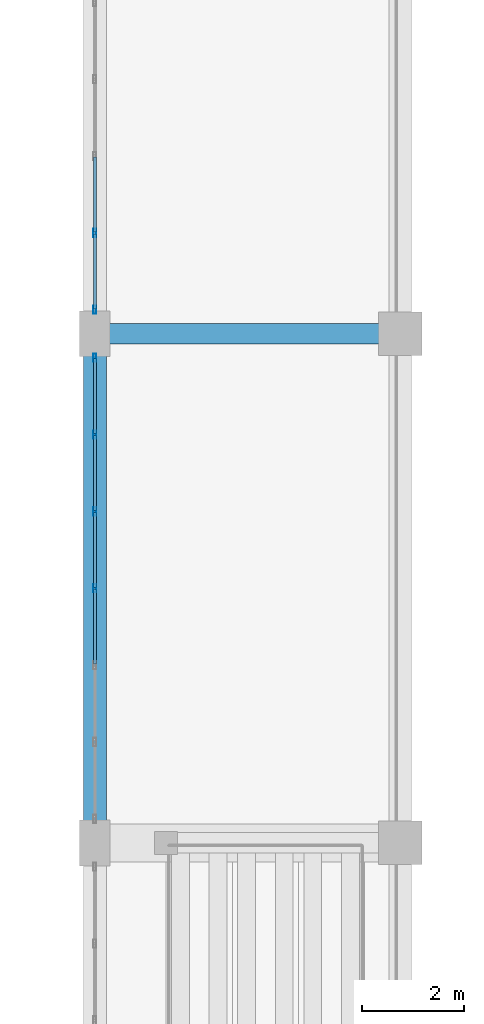
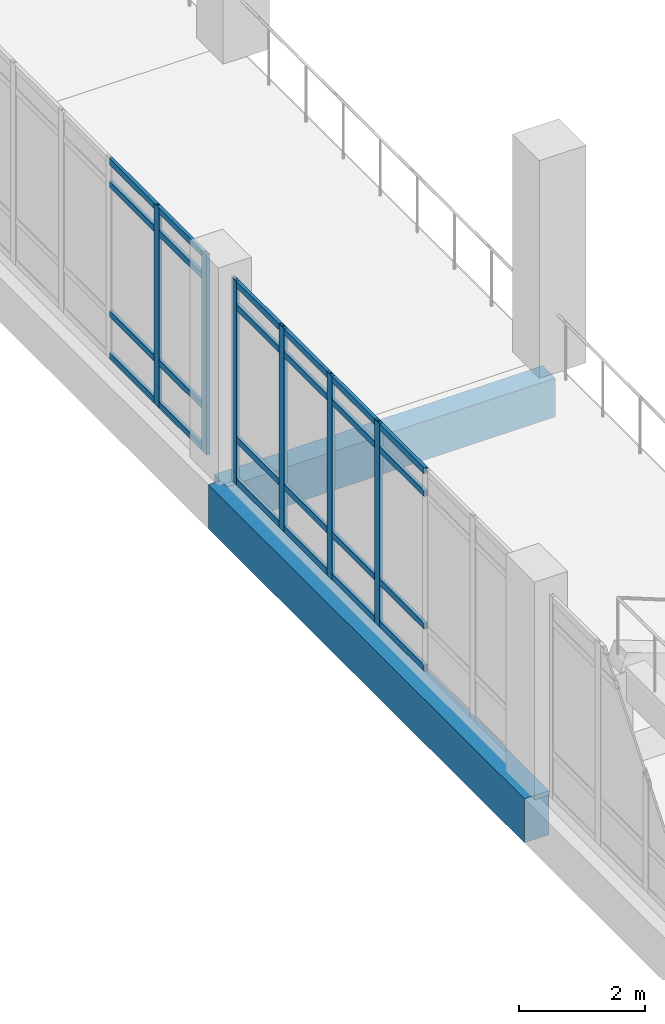
# One storey, part 65 of 161: 30 members, 2 beams, 2 elements without a shape of their own.
"""IFC4 building model written with IfcOpenShell, lengths in metres."""

from ifc_helpers import new_model, si_unit, direction, frame, origin, origin_2d, place, context, subcontext, project, spatial, rectangle, hollow_rectangle, extrude, material, layer, layer_set, material_profile, profile_set, type_object, element, aggregate, save


model = new_model("IFC4")

# Units and contexts
model_context = context("Model", 3, precision=1e-05, world=origin(), true_north=direction((0.0, 1.0)))
body_context = subcontext(model_context, "Body", "Model", "MODEL_VIEW")
ifc_project = project(units=[si_unit("LENGTHUNIT", "METRE"), si_unit("AREAUNIT", "SQUARE_METRE"), si_unit("VOLUMEUNIT", "CUBIC_METRE"), si_unit("PLANEANGLEUNIT", "RADIAN"), si_unit("MASSUNIT", "GRAM", prefix="KILO")], contexts=[model_context])

# Site, building, storey
site_placement = place(None, origin())
site = spatial("IfcSite", under=ifc_project, at=site_placement, CompositionType="ELEMENT")
building_placement = place(site_placement, origin())
building = spatial("IfcBuilding", under=site, at=building_placement, Name="Mersad Railyard Sports Hall", CompositionType="ELEMENT")
storey_placement = place(building_placement, frame((0.0, 0.0, 4.800048828125)))
storey = spatial("IfcBuildingStorey", under=building, at=storey_placement, Name="L01", CompositionType="ELEMENT", Elevation=4.800048828125)

# Curtain wall, members
ifc_material_1 = material(Name="Aluminium 6063-T6", Category="aluminium")
ifc_layer_1 = layer(ifc_material_1, 0.159912109375)
ifc_layer_set_1 = layer_set([ifc_layer_1], Name="Aluminium 6063-T6")
curtain_wall_type_1 = type_object("IfcCurtainWallType", Name="ARC-CW-CW26", PredefinedType="USERDEFINED", material=ifc_layer_set_1)
curtain_wall_1_placement = place(storey_placement, origin())
curtain_wall_1 = element("IfcCurtainWall", 1, at=curtain_wall_1_placement, inside=storey, type_object=curtain_wall_type_1, Name="Curtain wall CW26-0074", ObjectType="CURTAIN WALL", PredefinedType="USERDEFINED")
ifc_material_profile_1 = material_profile(ifc_material_1, hollow_rectangle(XDim=0.06005859375, YDim=0.159912109375, WallThickness=0.00390625, at=origin_2d()), Name="AL MULLION 60x160x4")
ifc_profile_set_1 = profile_set([ifc_material_profile_1], Name="Aluminium 6063-T6")
member_type_1 = type_object("IfcMemberType", Name="ARC-CW-MUL01", PredefinedType="MULLION", material=ifc_profile_set_1)
member_1_placement = place(storey_placement, frame((131.0, 58.5, -0.02001953125), z_axis=(0.0, 0.0, 1.0), x_axis=(1.0, 0.0, 0.0)))
member_1 = element("IfcMember", 2, at=member_1_placement, type_object=member_type_1, Name="CW26 Mullion 4", PredefinedType="MULLION", context=body_context, shape_type="SweptSolid", body=[
    extrude(hollow_rectangle(XDim=0.06005859375, YDim=0.159912109375, WallThickness=0.00390625, at=origin_2d()), origin(), (0.0, 0.0, 1.0), 3.929931640625),
])
member_2_placement = place(storey_placement, frame((131.0, 60.010009765625, -0.02001953125), z_axis=(0.0, 0.0, 1.0), x_axis=(1.0, 0.0, 0.0)))
member_2 = element("IfcMember", 3, at=member_2_placement, type_object=member_type_1, Name="CW26 Mullion 5", PredefinedType="MULLION", context=body_context, shape_type="SweptSolid", body=[
    extrude(hollow_rectangle(XDim=0.06005859375, YDim=0.159912109375, WallThickness=0.00390625, at=origin_2d()), origin(), (0.0, 0.0, 1.0), 3.929931640625),
])
member_3_placement = place(storey_placement, frame((131.0, 61.52001953125, -0.02001953125), z_axis=(0.0, 0.0, 1.0), x_axis=(1.0, 0.0, 0.0)))
member_3 = element("IfcMember", 4, at=member_3_placement, type_object=member_type_1, Name="CW26 Mullion 6", PredefinedType="MULLION", context=body_context, shape_type="SweptSolid", body=[
    extrude(hollow_rectangle(XDim=0.06005859375, YDim=0.159912109375, WallThickness=0.00390625, at=origin_2d()), origin(), (0.0, 0.0, 1.0), 3.929931640625),
])
member_4_placement = place(storey_placement, frame((131.0, 63.030029296875, -0.02001953125), z_axis=(0.0, 0.0, 1.0), x_axis=(1.0, 0.0, 0.0)))
member_4 = element("IfcMember", 5, at=member_4_placement, type_object=member_type_1, Name="CW26 Mullion 7", PredefinedType="MULLION", context=body_context, shape_type="SweptSolid", body=[
    extrude(hollow_rectangle(XDim=0.06005859375, YDim=0.159912109375, WallThickness=0.00390625, at=origin_2d()), origin(), (0.0, 0.0, 1.0), 3.929931640625),
])

ifc_layer_2 = layer(ifc_material_1, 0.159912109375)
ifc_layer_set_2 = layer_set([ifc_layer_2], Name="Aluminium 6063-T6")
curtain_wall_type_2 = type_object("IfcCurtainWallType", Name="ARC-CW-CW14", PredefinedType="USERDEFINED", material=ifc_layer_set_2)
curtain_wall_2_placement = place(storey_placement, origin())
curtain_wall_2 = element("IfcCurtainWall", 6, at=curtain_wall_2_placement, inside=storey, type_object=curtain_wall_type_2, Name="Curtain wall CW14-0076", ObjectType="CURTAIN WALL", PredefinedType="USERDEFINED")
member_5_placement = place(storey_placement, frame((131.0, 63.969970703125, -0.02001953125), z_axis=(0.0, 0.0, 1.0), x_axis=(1.0, 0.0, 0.0)))
member_5 = element("IfcMember", 7, at=member_5_placement, type_object=member_type_1, Name="CW14 Mullion 1", PredefinedType="MULLION", context=body_context, shape_type="SweptSolid", body=[
    extrude(hollow_rectangle(XDim=0.06005859375, YDim=0.159912109375, WallThickness=0.00390625, at=origin_2d()), origin(), (0.0, 0.0, 1.0), 3.869873046875),
])
member_6_placement = place(storey_placement, frame((131.0, 65.47998046875, -0.02001953125), z_axis=(0.0, 0.0, 1.0), x_axis=(1.0, 0.0, 0.0)))
member_6 = element("IfcMember", 8, at=member_6_placement, type_object=member_type_1, Name="CW14 Mullion 2", PredefinedType="MULLION", context=body_context, shape_type="SweptSolid", body=[
    extrude(hollow_rectangle(XDim=0.06005859375, YDim=0.159912109375, WallThickness=0.00390625, at=origin_2d()), origin(), (0.0, 0.0, 1.0), 3.869873046875),
])

# Member
ifc_material_profile_2 = material_profile(ifc_material_1, hollow_rectangle(XDim=0.06005859375, YDim=0.1201171875, WallThickness=0.00390625, at=origin_2d()), Name="AL TRANSOM 60x120x4")
ifc_profile_set_2 = profile_set([ifc_material_profile_2], Name="Aluminium 6063-T6")
member_type_2 = type_object("IfcMemberType", Name="ARC-CW-TRN01", PredefinedType="USERDEFINED", material=ifc_profile_set_2)
member_7_placement = place(storey_placement, frame((131.0, 57.010009765625, 0.0400390625), z_axis=(0.0, 1.0, 0.0), x_axis=(-1.0, 0.0, 0.0)))
member_7 = element("IfcMember", 9, at=member_7_placement, type_object=member_type_2, Name="CW26 Transom 1-3", ObjectType="TRANSOM", PredefinedType="USERDEFINED", context=body_context, shape_type="SweptSolid", body=[
    extrude(hollow_rectangle(XDim=0.06005859375, YDim=0.1201171875, WallThickness=0.00390625, at=origin_2d()), origin(), (0.0, 0.0, 1.0), 1.469970703125),
])

member_8_placement = place(storey_placement, frame((131.0, 58.52001953125, 0.0400390625), z_axis=(0.0, 1.0, 0.0), x_axis=(-1.0, 0.0, 0.0)))
member_8 = element("IfcMember", 10, at=member_8_placement, type_object=member_type_2, Name="CW26 Transom 1-4", ObjectType="TRANSOM", PredefinedType="USERDEFINED", context=body_context, shape_type="SweptSolid", body=[
    extrude(hollow_rectangle(XDim=0.06005859375, YDim=0.1201171875, WallThickness=0.00390625, at=origin_2d()), origin(), (0.0, 0.0, 1.0), 1.469970703125),
])

member_9_placement = place(storey_placement, frame((131.0, 60.030029296875, 0.0400390625), z_axis=(0.0, 1.0, 0.0), x_axis=(-1.0, 0.0, 0.0)))
member_9 = element("IfcMember", 11, at=member_9_placement, type_object=member_type_2, Name="CW26 Transom 1-5", ObjectType="TRANSOM", PredefinedType="USERDEFINED", context=body_context, shape_type="SweptSolid", body=[
    extrude(hollow_rectangle(XDim=0.06005859375, YDim=0.1201171875, WallThickness=0.00390625, at=origin_2d()), origin(), (0.0, 0.0, 1.0), 1.469970703125),
])

member_10_placement = place(storey_placement, frame((131.0, 61.5400390625, 0.0400390625), z_axis=(0.0, 1.0, 0.0), x_axis=(-1.0, 0.0, 0.0)))
member_10 = element("IfcMember", 12, at=member_10_placement, type_object=member_type_2, Name="CW26 Transom 1-6", ObjectType="TRANSOM", PredefinedType="USERDEFINED", context=body_context, shape_type="SweptSolid", body=[
    extrude(hollow_rectangle(XDim=0.06005859375, YDim=0.1201171875, WallThickness=0.00390625, at=origin_2d()), origin(), (0.0, 0.0, 1.0), 1.469970703125),
])

member_11_placement = place(storey_placement, frame((131.0, 57.010009765625, 0.849853515625), z_axis=(0.0, 1.0, 0.0), x_axis=(-1.0, 0.0, 0.0)))
member_11 = element("IfcMember", 13, at=member_11_placement, type_object=member_type_2, Name="CW26 Transom 2-3", ObjectType="TRANSOM", PredefinedType="USERDEFINED", context=body_context, shape_type="SweptSolid", body=[
    extrude(hollow_rectangle(XDim=0.06005859375, YDim=0.1201171875, WallThickness=0.00390625, at=origin_2d()), origin(), (0.0, 0.0, 1.0), 1.469970703125),
])

member_12_placement = place(storey_placement, frame((131.0, 58.52001953125, 0.849853515625), z_axis=(0.0, 1.0, 0.0), x_axis=(-1.0, 0.0, 0.0)))
member_12 = element("IfcMember", 14, at=member_12_placement, type_object=member_type_2, Name="CW26 Transom 2-4", ObjectType="TRANSOM", PredefinedType="USERDEFINED", context=body_context, shape_type="SweptSolid", body=[
    extrude(hollow_rectangle(XDim=0.06005859375, YDim=0.1201171875, WallThickness=0.00390625, at=origin_2d()), origin(), (0.0, 0.0, 1.0), 1.469970703125),
])

member_13_placement = place(storey_placement, frame((131.0, 60.030029296875, 0.849853515625), z_axis=(0.0, 1.0, 0.0), x_axis=(-1.0, 0.0, 0.0)))
member_13 = element("IfcMember", 15, at=member_13_placement, type_object=member_type_2, Name="CW26 Transom 2-5", ObjectType="TRANSOM", PredefinedType="USERDEFINED", context=body_context, shape_type="SweptSolid", body=[
    extrude(hollow_rectangle(XDim=0.06005859375, YDim=0.1201171875, WallThickness=0.00390625, at=origin_2d()), origin(), (0.0, 0.0, 1.0), 1.469970703125),
])

member_14_placement = place(storey_placement, frame((131.0, 61.5400390625, 0.849853515625), z_axis=(0.0, 1.0, 0.0), x_axis=(-1.0, 0.0, 0.0)))
member_14 = element("IfcMember", 16, at=member_14_placement, type_object=member_type_2, Name="CW26 Transom 2-6", ObjectType="TRANSOM", PredefinedType="USERDEFINED", context=body_context, shape_type="SweptSolid", body=[
    extrude(hollow_rectangle(XDim=0.06005859375, YDim=0.1201171875, WallThickness=0.00390625, at=origin_2d()), origin(), (0.0, 0.0, 1.0), 1.469970703125),
])

member_15_placement = place(storey_placement, frame((131.0, 57.010009765625, 3.409912109375), z_axis=(0.0, 1.0, 0.0), x_axis=(-1.0, 0.0, 0.0)))
member_15 = element("IfcMember", 17, at=member_15_placement, type_object=member_type_2, Name="CW26 Transom 3-3", ObjectType="TRANSOM", PredefinedType="USERDEFINED", context=body_context, shape_type="SweptSolid", body=[
    extrude(hollow_rectangle(XDim=0.06005859375, YDim=0.1201171875, WallThickness=0.00390625, at=origin_2d()), origin(), (0.0, 0.0, 1.0), 1.469970703125),
])

member_16_placement = place(storey_placement, frame((131.0, 58.52001953125, 3.409912109375), z_axis=(0.0, 1.0, 0.0), x_axis=(-1.0, 0.0, 0.0)))
member_16 = element("IfcMember", 18, at=member_16_placement, type_object=member_type_2, Name="CW26 Transom 3-4", ObjectType="TRANSOM", PredefinedType="USERDEFINED", context=body_context, shape_type="SweptSolid", body=[
    extrude(hollow_rectangle(XDim=0.06005859375, YDim=0.1201171875, WallThickness=0.00390625, at=origin_2d()), origin(), (0.0, 0.0, 1.0), 1.469970703125),
])

member_17_placement = place(storey_placement, frame((131.0, 60.030029296875, 3.409912109375), z_axis=(0.0, 1.0, 0.0), x_axis=(-1.0, 0.0, 0.0)))
member_17 = element("IfcMember", 19, at=member_17_placement, type_object=member_type_2, Name="CW26 Transom 3-5", ObjectType="TRANSOM", PredefinedType="USERDEFINED", context=body_context, shape_type="SweptSolid", body=[
    extrude(hollow_rectangle(XDim=0.06005859375, YDim=0.1201171875, WallThickness=0.00390625, at=origin_2d()), origin(), (0.0, 0.0, 1.0), 1.469970703125),
])

member_18_placement = place(storey_placement, frame((131.0, 61.5400390625, 3.409912109375), z_axis=(0.0, 1.0, 0.0), x_axis=(-1.0, 0.0, 0.0)))
member_18 = element("IfcMember", 20, at=member_18_placement, type_object=member_type_2, Name="CW26 Transom 3-6", ObjectType="TRANSOM", PredefinedType="USERDEFINED", context=body_context, shape_type="SweptSolid", body=[
    extrude(hollow_rectangle(XDim=0.06005859375, YDim=0.1201171875, WallThickness=0.00390625, at=origin_2d()), origin(), (0.0, 0.0, 1.0), 1.469970703125),
])

member_19_placement = place(storey_placement, frame((131.0, 57.010009765625, 3.849853515625), z_axis=(0.0, 1.0, 0.0), x_axis=(-1.0, 0.0, 0.0)))
member_19 = element("IfcMember", 21, at=member_19_placement, type_object=member_type_2, Name="CW26 Transom 4-3", ObjectType="TRANSOM", PredefinedType="USERDEFINED", context=body_context, shape_type="SweptSolid", body=[
    extrude(hollow_rectangle(XDim=0.06005859375, YDim=0.1201171875, WallThickness=0.00390625, at=origin_2d()), origin(), (0.0, 0.0, 1.0), 1.469970703125),
])

member_20_placement = place(storey_placement, frame((131.0, 58.52001953125, 3.849853515625), z_axis=(0.0, 1.0, 0.0), x_axis=(-1.0, 0.0, 0.0)))
member_20 = element("IfcMember", 22, at=member_20_placement, type_object=member_type_2, Name="CW26 Transom 4-4", ObjectType="TRANSOM", PredefinedType="USERDEFINED", context=body_context, shape_type="SweptSolid", body=[
    extrude(hollow_rectangle(XDim=0.06005859375, YDim=0.1201171875, WallThickness=0.00390625, at=origin_2d()), origin(), (0.0, 0.0, 1.0), 1.469970703125),
])

member_21_placement = place(storey_placement, frame((131.0, 60.030029296875, 3.849853515625), z_axis=(0.0, 1.0, 0.0), x_axis=(-1.0, 0.0, 0.0)))
member_21 = element("IfcMember", 23, at=member_21_placement, type_object=member_type_2, Name="CW26 Transom 4-5", ObjectType="TRANSOM", PredefinedType="USERDEFINED", context=body_context, shape_type="SweptSolid", body=[
    extrude(hollow_rectangle(XDim=0.06005859375, YDim=0.1201171875, WallThickness=0.00390625, at=origin_2d()), origin(), (0.0, 0.0, 1.0), 1.469970703125),
])

member_22_placement = place(storey_placement, frame((131.0, 61.5400390625, 3.849853515625), z_axis=(0.0, 1.0, 0.0), x_axis=(-1.0, 0.0, 0.0)))
member_22 = element("IfcMember", 24, at=member_22_placement, type_object=member_type_2, Name="CW26 Transom 4-6", ObjectType="TRANSOM", PredefinedType="USERDEFINED", context=body_context, shape_type="SweptSolid", body=[
    extrude(hollow_rectangle(XDim=0.06005859375, YDim=0.1201171875, WallThickness=0.00390625, at=origin_2d()), origin(), (0.0, 0.0, 1.0), 1.469970703125),
])

aggregate(curtain_wall_1, [member_1, member_2, member_3, member_4, member_7, member_8, member_9, member_10, member_11, member_12, member_13, member_14, member_15, member_16, member_17, member_18, member_19, member_20, member_21, member_22])

member_23_placement = place(storey_placement, frame((131.0, 63.989990234375, 0.0400390625), z_axis=(0.0, 1.0, 0.0), x_axis=(-1.0, 0.0, 0.0)))
member_23 = element("IfcMember", 25, at=member_23_placement, type_object=member_type_2, Name="CW14 Transom 1-1", ObjectType="TRANSOM", PredefinedType="USERDEFINED", context=body_context, shape_type="SweptSolid", body=[
    extrude(hollow_rectangle(XDim=0.06005859375, YDim=0.1201171875, WallThickness=0.00390625, at=origin_2d()), origin(), (0.0, 0.0, 1.0), 1.469970703125),
])

member_24_placement = place(storey_placement, frame((131.0, 65.5, 0.0400390625), z_axis=(0.0, 1.0, 0.0), x_axis=(-1.0, 0.0, 0.0)))
member_24 = element("IfcMember", 26, at=member_24_placement, type_object=member_type_2, Name="CW14 Transom 1-2", ObjectType="TRANSOM", PredefinedType="USERDEFINED", context=body_context, shape_type="SweptSolid", body=[
    extrude(hollow_rectangle(XDim=0.06005859375, YDim=0.1201171875, WallThickness=0.00390625, at=origin_2d()), origin(), (0.0, 0.0, 1.0), 1.469970703125),
])

member_25_placement = place(storey_placement, frame((131.0, 63.989990234375, 0.849853515625), z_axis=(0.0, 1.0, 0.0), x_axis=(-1.0, 0.0, 0.0)))
member_25 = element("IfcMember", 27, at=member_25_placement, type_object=member_type_2, Name="CW14 Transom 2-1", ObjectType="TRANSOM", PredefinedType="USERDEFINED", context=body_context, shape_type="SweptSolid", body=[
    extrude(hollow_rectangle(XDim=0.06005859375, YDim=0.1201171875, WallThickness=0.00390625, at=origin_2d()), origin(), (0.0, 0.0, 1.0), 1.469970703125),
])

member_26_placement = place(storey_placement, frame((131.0, 65.5, 0.849853515625), z_axis=(0.0, 1.0, 0.0), x_axis=(-1.0, 0.0, 0.0)))
member_26 = element("IfcMember", 28, at=member_26_placement, type_object=member_type_2, Name="CW14 Transom 2-2", ObjectType="TRANSOM", PredefinedType="USERDEFINED", context=body_context, shape_type="SweptSolid", body=[
    extrude(hollow_rectangle(XDim=0.06005859375, YDim=0.1201171875, WallThickness=0.00390625, at=origin_2d()), origin(), (0.0, 0.0, 1.0), 1.469970703125),
])

member_27_placement = place(storey_placement, frame((131.0, 63.989990234375, 3.349853515625), z_axis=(0.0, 1.0, 0.0), x_axis=(-1.0, 0.0, 0.0)))
member_27 = element("IfcMember", 29, at=member_27_placement, type_object=member_type_2, Name="CW14 Transom 3-1", ObjectType="TRANSOM", PredefinedType="USERDEFINED", context=body_context, shape_type="SweptSolid", body=[
    extrude(hollow_rectangle(XDim=0.06005859375, YDim=0.1201171875, WallThickness=0.00390625, at=origin_2d()), origin(), (0.0, 0.0, 1.0), 1.469970703125),
])

member_28_placement = place(storey_placement, frame((131.0, 65.5, 3.349853515625), z_axis=(0.0, 1.0, 0.0), x_axis=(-1.0, 0.0, 0.0)))
member_28 = element("IfcMember", 30, at=member_28_placement, type_object=member_type_2, Name="CW14 Transom 3-2", ObjectType="TRANSOM", PredefinedType="USERDEFINED", context=body_context, shape_type="SweptSolid", body=[
    extrude(hollow_rectangle(XDim=0.06005859375, YDim=0.1201171875, WallThickness=0.00390625, at=origin_2d()), origin(), (0.0, 0.0, 1.0), 1.469970703125),
])

member_29_placement = place(storey_placement, frame((131.0, 63.989990234375, 3.7900390625), z_axis=(0.0, 1.0, 0.0), x_axis=(-1.0, 0.0, 0.0)))
member_29 = element("IfcMember", 31, at=member_29_placement, type_object=member_type_2, Name="CW14 Transom 4-1", ObjectType="TRANSOM", PredefinedType="USERDEFINED", context=body_context, shape_type="SweptSolid", body=[
    extrude(hollow_rectangle(XDim=0.06005859375, YDim=0.1201171875, WallThickness=0.00390625, at=origin_2d()), origin(), (0.0, 0.0, 1.0), 1.469970703125),
])

member_30_placement = place(storey_placement, frame((131.0, 65.5, 3.7900390625), z_axis=(0.0, 1.0, 0.0), x_axis=(-1.0, 0.0, 0.0)))
member_30 = element("IfcMember", 32, at=member_30_placement, type_object=member_type_2, Name="CW14 Transom 4-2", ObjectType="TRANSOM", PredefinedType="USERDEFINED", context=body_context, shape_type="SweptSolid", body=[
    extrude(hollow_rectangle(XDim=0.06005859375, YDim=0.1201171875, WallThickness=0.00390625, at=origin_2d()), origin(), (0.0, 0.0, 1.0), 1.469970703125),
])

aggregate(curtain_wall_2, [member_5, member_6, member_23, member_24, member_25, member_26, member_27, member_28, member_29, member_30])

# Beams
ifc_material_2 = material(Name="Concrete C40/50", Category="concrete")
ifc_material_profile_3 = material_profile(ifc_material_2, rectangle(XDim=0.39990234375, YDim=0.75, at=origin_2d()), Name="RC 400x750")
ifc_profile_set_3 = profile_set([ifc_material_profile_3], Name="Concrete C40/50")
beam_type_1 = type_object("IfcBeamType", Name="STR-BM-B01", PredefinedType="BEAM", material=ifc_profile_set_3)
beam_1_placement = place(storey_placement, frame((131.0, 63.5, -0.655029296875), z_axis=(1.0, 0.0, 0.0), x_axis=(0.0, 1.0, 0.0)))
element("IfcBeam", 33, at=beam_1_placement, inside=storey, type_object=beam_type_1, Name="Beam B01-0630", PredefinedType="BEAM", context=body_context, shape_type="SweptSolid", body=[
    extrude(rectangle(XDim=0.39990234375, YDim=0.75, at=origin_2d()), origin(), (0.0, 0.0, 1.0), 6.0),
])
ifc_material_profile_4 = material_profile(ifc_material_2, rectangle(XDim=0.449951171875, YDim=0.85009765625, at=origin_2d()), Name="RC 450x850")
ifc_profile_set_4 = profile_set([ifc_material_profile_4], Name="Concrete C40/50")
beam_type_2 = type_object("IfcBeamType", Name="STR-BM-B02", PredefinedType="BEAM", material=ifc_profile_set_4)
beam_2_placement = place(storey_placement, frame((131.0, 53.5, -0.705078125), z_axis=(0.0, 1.0, 0.0), x_axis=(-1.0, 0.0, 0.0)))
element("IfcBeam", 34, at=beam_2_placement, inside=storey, type_object=beam_type_2, Name="Beam B02-0633", PredefinedType="BEAM", context=body_context, shape_type="SweptSolid", body=[
    extrude(rectangle(XDim=0.449951171875, YDim=0.85009765625, at=origin_2d()), origin(), (0.0, 0.0, 1.0), 10.0),
])

save(model, "model.ifc")
